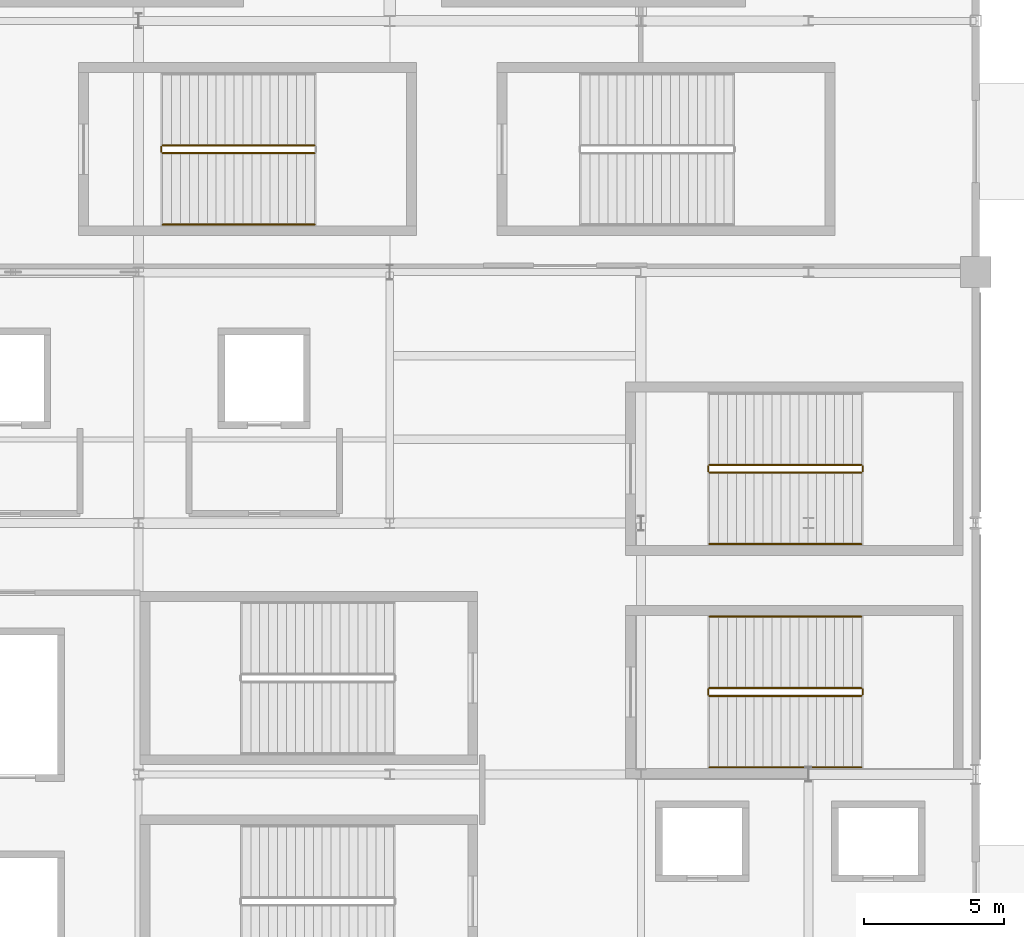
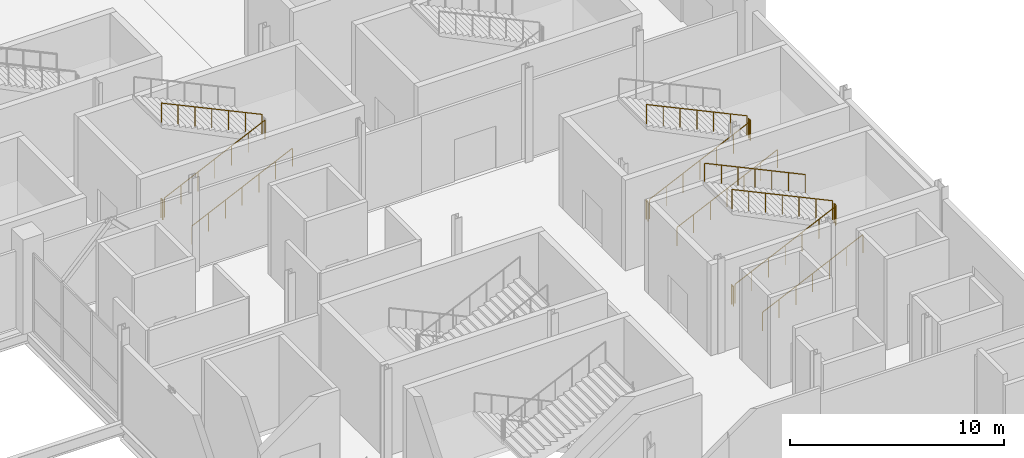
# One storey, part 90 of 94: 15 railings.
"""IFC4 building model written with IfcOpenShell, lengths in metres."""

from ifc_helpers import new_model, si_unit, direction, frame, origin, origin_2d, place, context, subcontext, project, spatial, circle, extrude, material, type_object, element, save


model = new_model("IFC4")

# Units and contexts
model_context = context("Model", 3, precision=1e-05, world=origin(), true_north=direction((0.0, 1.0)))
body_context = subcontext(model_context, "Body", "Model", "MODEL_VIEW")
ifc_project = project(units=[si_unit("LENGTHUNIT", "METRE"), si_unit("AREAUNIT", "SQUARE_METRE"), si_unit("VOLUMEUNIT", "CUBIC_METRE"), si_unit("PLANEANGLEUNIT", "RADIAN"), si_unit("MASSUNIT", "GRAM", prefix="KILO")], contexts=[model_context])

# Site, building, storey
site_placement = place(None, origin())
site = spatial("IfcSite", under=ifc_project, at=site_placement, CompositionType="ELEMENT")
building_placement = place(site_placement, origin())
building = spatial("IfcBuilding", under=site, at=building_placement, Name="Qamarlyn Nura Convention Centre", CompositionType="ELEMENT")
storey_placement = place(building_placement, origin())
storey = spatial("IfcBuildingStorey", under=building, at=storey_placement, Name="L00", CompositionType="ELEMENT", Elevation=0.0)

# Railings
ifc_material = material(Name="Marine Grade 316 stainless steel", Category="steel")
railing_type_1 = type_object("IfcRailingType", Name="GRD-STAIR-112", PredefinedType="BALUSTRADE", material=ifc_material)
railing_1_placement = place(storey_placement, frame((182.4599609375, 65.81005859375, 0.14990234375)))
element("IfcRailing", 1, at=railing_1_placement, inside=storey, type_object=railing_type_1, Name="L00 ST-13 stair guard 1", PredefinedType="BALUSTRADE", context=body_context, shape_type="SweptSolid", body=[
    extrude(circle(Radius=0.02392578125, at=origin_2d()), frame((0.0, 0.0, 1.09619140625), z_axis=(0.90545405566, 0.0, 0.424444287379), x_axis=(0.0, 1.0, 0.0)), (0.0, 0.0, 1.0), 6.008056640625),
    extrude(circle(Radius=0.02099609375, at=origin_2d()), origin(), (0.0, 0.0, 1.0), 1.070068359375),
    extrude(circle(Radius=0.02099609375, at=origin_2d()), frame((0.90673828125, 0.0, 0.425048828125)), (0.0, 0.0, 1.0), 1.070068359375),
    extrude(circle(Radius=0.02099609375, at=origin_2d()), frame((1.813232421875, 0.0, 0.85009765625)), (0.0, 0.0, 1.0), 1.070068359375),
    extrude(circle(Radius=0.02099609375, at=origin_2d()), frame((2.719970703125, 0.0, 1.27490234375)), (0.0, 0.0, 1.0), 1.070068359375),
    extrude(circle(Radius=0.02099609375, at=origin_2d()), frame((3.626708984375, 0.0, 1.699951171875)), (0.0, 0.0, 1.0), 1.070068359375),
    extrude(circle(Radius=0.02099609375, at=origin_2d()), frame((4.533203125, 0.0, 2.125)), (0.0, 0.0, 1.0), 1.070068359375),
    extrude(circle(Radius=0.02099609375, at=origin_2d()), frame((5.43994140625, 0.0, 2.550048828125)), (0.0, 0.0, 1.0), 1.070068359375),
])
railing_2_placement = place(storey_placement, frame((187.949951171875, 65.860107421875, 2.699951171875)))
element("IfcRailing", 2, at=railing_2_placement, inside=storey, type_object=railing_type_1, Name="L00 ST-13 stair guard 2", PredefinedType="BALUSTRADE", context=body_context, shape_type="SweptSolid", body=[
    extrude(circle(Radius=0.02392578125, at=origin_2d()), frame((0.0, 0.0, 1.09619140625), z_axis=(0.0, 1.0, 0.0), x_axis=(-1.0, 0.0, 0.0)), (0.0, 0.0, 1.0), 0.179931640625),
    extrude(circle(Radius=0.02099609375, at=origin_2d()), origin(), (0.0, 0.0, 1.0), 1.070068359375),
    extrude(circle(Radius=0.02099609375, at=origin_2d()), frame((0.0, 0.179931640625, 0.0)), (0.0, 0.0, 1.0), 1.070068359375),
])
railing_3_placement = place(storey_placement, frame((187.89990234375, 66.090087890625, 2.85009765625)))
element("IfcRailing", 3, at=railing_3_placement, inside=storey, type_object=railing_type_1, Name="L00 ST-13 stair guard 3", PredefinedType="BALUSTRADE", context=body_context, shape_type="SweptSolid", body=[
    extrude(circle(Radius=0.02392578125, at=origin_2d()), frame((0.0, 0.0, 1.09619140625), z_axis=(-0.90546967238, 0.0, 0.424410971113), x_axis=(0.0, -1.0, 0.0)), (0.0, 0.0, 1.0), 6.0078125),
    extrude(circle(Radius=0.02099609375, at=origin_2d()), origin(), (0.0, 0.0, 1.0), 1.070068359375),
    extrude(circle(Radius=0.02099609375, at=origin_2d()), frame((-0.90673828125, 0.0, 0.425048828125)), (0.0, 0.0, 1.0), 1.070068359375),
    extrude(circle(Radius=0.02099609375, at=origin_2d()), frame((-1.813232421875, 0.0, 0.849853515625)), (0.0, 0.0, 1.0), 1.070068359375),
    extrude(circle(Radius=0.02099609375, at=origin_2d()), frame((-2.719970703125, 0.0, 1.27490234375)), (0.0, 0.0, 1.0), 1.070068359375),
    extrude(circle(Radius=0.02099609375, at=origin_2d()), frame((-3.626708984375, 0.0, 1.699951171875)), (0.0, 0.0, 1.0), 1.070068359375),
    extrude(circle(Radius=0.02099609375, at=origin_2d()), frame((-4.533203125, 0.0, 2.124755859375)), (0.0, 0.0, 1.0), 1.070068359375),
    extrude(circle(Radius=0.02099609375, at=origin_2d()), frame((-5.43994140625, 0.0, 2.5498046875)), (0.0, 0.0, 1.0), 1.070068359375),
])
railing_4_placement = place(storey_placement, frame((182.409912109375, 65.860107421875, 0.0)))
element("IfcRailing", 4, at=railing_4_placement, inside=storey, type_object=railing_type_1, Name="L00 ST-13 stair guard 4", PredefinedType="BALUSTRADE", context=body_context, shape_type="SweptSolid", body=[
    extrude(circle(Radius=0.02392578125, at=origin_2d()), frame((0.0, 0.0, 1.09619140625), z_axis=(0.0, 1.0, 0.0), x_axis=(-1.0, 0.0, 0.0)), (0.0, 0.0, 1.0), 0.179931640625),
    extrude(circle(Radius=0.02099609375, at=origin_2d()), origin(), (0.0, 0.0, 1.0), 1.070068359375),
    extrude(circle(Radius=0.02099609375, at=origin_2d()), frame((0.0, 0.179931640625, 0.0)), (0.0, 0.0, 1.0), 1.070068359375),
])
railing_5_placement = place(storey_placement, frame((182.4599609375, 73.81005859375, 0.14990234375)))
element("IfcRailing", 5, at=railing_5_placement, inside=storey, type_object=railing_type_1, Name="L00 ST-14 stair guard 1", PredefinedType="BALUSTRADE", context=body_context, shape_type="SweptSolid", body=[
    extrude(circle(Radius=0.02392578125, at=origin_2d()), frame((0.0, 0.0, 1.09619140625), z_axis=(0.90545405566, 0.0, 0.424444287379), x_axis=(0.0, 1.0, 0.0)), (0.0, 0.0, 1.0), 6.008056640625),
    extrude(circle(Radius=0.02099609375, at=origin_2d()), origin(), (0.0, 0.0, 1.0), 1.070068359375),
    extrude(circle(Radius=0.02099609375, at=origin_2d()), frame((0.90673828125, 0.0, 0.425048828125)), (0.0, 0.0, 1.0), 1.070068359375),
    extrude(circle(Radius=0.02099609375, at=origin_2d()), frame((1.813232421875, 0.0, 0.85009765625)), (0.0, 0.0, 1.0), 1.070068359375),
    extrude(circle(Radius=0.02099609375, at=origin_2d()), frame((2.719970703125, 0.0, 1.27490234375)), (0.0, 0.0, 1.0), 1.070068359375),
    extrude(circle(Radius=0.02099609375, at=origin_2d()), frame((3.626708984375, 0.0, 1.699951171875)), (0.0, 0.0, 1.0), 1.070068359375),
    extrude(circle(Radius=0.02099609375, at=origin_2d()), frame((4.533203125, 0.0, 2.125)), (0.0, 0.0, 1.0), 1.070068359375),
    extrude(circle(Radius=0.02099609375, at=origin_2d()), frame((5.43994140625, 0.0, 2.550048828125)), (0.0, 0.0, 1.0), 1.070068359375),
])
railing_6_placement = place(storey_placement, frame((187.949951171875, 73.860107421875, 2.699951171875)))
element("IfcRailing", 6, at=railing_6_placement, inside=storey, type_object=railing_type_1, Name="L00 ST-14 stair guard 2", PredefinedType="BALUSTRADE", context=body_context, shape_type="SweptSolid", body=[
    extrude(circle(Radius=0.02392578125, at=origin_2d()), frame((0.0, 0.0, 1.09619140625), z_axis=(0.0, 1.0, 0.0), x_axis=(-1.0, 0.0, 0.0)), (0.0, 0.0, 1.0), 0.179931640625),
    extrude(circle(Radius=0.02099609375, at=origin_2d()), origin(), (0.0, 0.0, 1.0), 1.070068359375),
    extrude(circle(Radius=0.02099609375, at=origin_2d()), frame((0.0, 0.179931640625, 0.0)), (0.0, 0.0, 1.0), 1.070068359375),
])
railing_7_placement = place(storey_placement, frame((187.89990234375, 74.090087890625, 2.85009765625)))
element("IfcRailing", 7, at=railing_7_placement, inside=storey, type_object=railing_type_1, Name="L00 ST-14 stair guard 3", PredefinedType="BALUSTRADE", context=body_context, shape_type="SweptSolid", body=[
    extrude(circle(Radius=0.02392578125, at=origin_2d()), frame((0.0, 0.0, 1.09619140625), z_axis=(-0.90546967238, 0.0, 0.424410971113), x_axis=(0.0, -1.0, 0.0)), (0.0, 0.0, 1.0), 6.0078125),
    extrude(circle(Radius=0.02099609375, at=origin_2d()), origin(), (0.0, 0.0, 1.0), 1.070068359375),
    extrude(circle(Radius=0.02099609375, at=origin_2d()), frame((-0.90673828125, 0.0, 0.425048828125)), (0.0, 0.0, 1.0), 1.070068359375),
    extrude(circle(Radius=0.02099609375, at=origin_2d()), frame((-1.813232421875, 0.0, 0.849853515625)), (0.0, 0.0, 1.0), 1.070068359375),
    extrude(circle(Radius=0.02099609375, at=origin_2d()), frame((-2.719970703125, 0.0, 1.27490234375)), (0.0, 0.0, 1.0), 1.070068359375),
    extrude(circle(Radius=0.02099609375, at=origin_2d()), frame((-3.626708984375, 0.0, 1.699951171875)), (0.0, 0.0, 1.0), 1.070068359375),
    extrude(circle(Radius=0.02099609375, at=origin_2d()), frame((-4.533203125, 0.0, 2.124755859375)), (0.0, 0.0, 1.0), 1.070068359375),
    extrude(circle(Radius=0.02099609375, at=origin_2d()), frame((-5.43994140625, 0.0, 2.5498046875)), (0.0, 0.0, 1.0), 1.070068359375),
])
railing_8_placement = place(storey_placement, frame((182.409912109375, 73.860107421875, 0.0)))
element("IfcRailing", 8, at=railing_8_placement, inside=storey, type_object=railing_type_1, Name="L00 ST-14 stair guard 4", PredefinedType="BALUSTRADE", context=body_context, shape_type="SweptSolid", body=[
    extrude(circle(Radius=0.02392578125, at=origin_2d()), frame((0.0, 0.0, 1.09619140625), z_axis=(0.0, 1.0, 0.0), x_axis=(-1.0, 0.0, 0.0)), (0.0, 0.0, 1.0), 0.179931640625),
    extrude(circle(Radius=0.02099609375, at=origin_2d()), origin(), (0.0, 0.0, 1.0), 1.070068359375),
    extrude(circle(Radius=0.02099609375, at=origin_2d()), frame((0.0, 0.179931640625, 0.0)), (0.0, 0.0, 1.0), 1.070068359375),
])
railing_9_placement = place(storey_placement, frame((162.860107421875, 85.260009765625, 0.14990234375)))
element("IfcRailing", 9, at=railing_9_placement, inside=storey, type_object=railing_type_1, Name="L00 ST-16 stair guard 1", PredefinedType="BALUSTRADE", context=body_context, shape_type="SweptSolid", body=[
    extrude(circle(Radius=0.02392578125, at=origin_2d()), frame((0.0, 0.0, 1.09619140625), z_axis=(0.90545405566, 0.0, 0.424444287379), x_axis=(0.0, 1.0, 0.0)), (0.0, 0.0, 1.0), 6.008056640625),
    extrude(circle(Radius=0.02099609375, at=origin_2d()), origin(), (0.0, 0.0, 1.0), 1.070068359375),
    extrude(circle(Radius=0.02099609375, at=origin_2d()), frame((0.90673828125, 0.0, 0.425048828125)), (0.0, 0.0, 1.0), 1.070068359375),
    extrude(circle(Radius=0.02099609375, at=origin_2d()), frame((1.813232421875, 0.0, 0.85009765625)), (0.0, 0.0, 1.0), 1.070068359375),
    extrude(circle(Radius=0.02099609375, at=origin_2d()), frame((2.719970703125, 0.0, 1.27490234375)), (0.0, 0.0, 1.0), 1.070068359375),
    extrude(circle(Radius=0.02099609375, at=origin_2d()), frame((3.626708984375, 0.0, 1.699951171875)), (0.0, 0.0, 1.0), 1.070068359375),
    extrude(circle(Radius=0.02099609375, at=origin_2d()), frame((4.533203125, 0.0, 2.125)), (0.0, 0.0, 1.0), 1.070068359375),
    extrude(circle(Radius=0.02099609375, at=origin_2d()), frame((5.43994140625, 0.0, 2.550048828125)), (0.0, 0.0, 1.0), 1.070068359375),
])
railing_10_placement = place(storey_placement, frame((168.300048828125, 85.5400390625, 2.85009765625)))
element("IfcRailing", 10, at=railing_10_placement, inside=storey, type_object=railing_type_1, Name="L00 ST-16 stair guard 3", PredefinedType="BALUSTRADE", context=body_context, shape_type="SweptSolid", body=[
    extrude(circle(Radius=0.02392578125, at=origin_2d()), frame((0.0, 0.0, 1.09619140625), z_axis=(-0.90546967238, 0.0, 0.424410971113), x_axis=(0.0, -1.0, 0.0)), (0.0, 0.0, 1.0), 6.0078125),
    extrude(circle(Radius=0.02099609375, at=origin_2d()), origin(), (0.0, 0.0, 1.0), 1.070068359375),
    extrude(circle(Radius=0.02099609375, at=origin_2d()), frame((-0.90673828125, 0.0, 0.425048828125)), (0.0, 0.0, 1.0), 1.070068359375),
    extrude(circle(Radius=0.02099609375, at=origin_2d()), frame((-1.813232421875, 0.0, 0.849853515625)), (0.0, 0.0, 1.0), 1.070068359375),
    extrude(circle(Radius=0.02099609375, at=origin_2d()), frame((-2.719970703125, 0.0, 1.27490234375)), (0.0, 0.0, 1.0), 1.070068359375),
    extrude(circle(Radius=0.02099609375, at=origin_2d()), frame((-3.626708984375, 0.0, 1.699951171875)), (0.0, 0.0, 1.0), 1.070068359375),
    extrude(circle(Radius=0.02099609375, at=origin_2d()), frame((-4.533203125, 0.0, 2.124755859375)), (0.0, 0.0, 1.0), 1.070068359375),
    extrude(circle(Radius=0.02099609375, at=origin_2d()), frame((-5.43994140625, 0.0, 2.5498046875)), (0.0, 0.0, 1.0), 1.070068359375),
])
railing_11_placement = place(storey_placement, frame((162.81005859375, 85.31005859375, 0.0)))
element("IfcRailing", 11, at=railing_11_placement, inside=storey, type_object=railing_type_1, Name="L00 ST-16 stair guard 4", PredefinedType="BALUSTRADE", context=body_context, shape_type="SweptSolid", body=[
    extrude(circle(Radius=0.02392578125, at=origin_2d()), frame((0.0, 0.0, 1.09619140625), z_axis=(0.0, 1.0, 0.0), x_axis=(-1.0, 0.0, 0.0)), (0.0, 0.0, 1.0), 0.179931640625),
    extrude(circle(Radius=0.02099609375, at=origin_2d()), origin(), (0.0, 0.0, 1.0), 1.070068359375),
    extrude(circle(Radius=0.02099609375, at=origin_2d()), frame((0.0, 0.179931640625, 0.0)), (0.0, 0.0, 1.0), 1.070068359375),
])
railing_type_2 = type_object("IfcRailingType", Name="HRL-STAIR-090", PredefinedType="HANDRAIL", material=ifc_material)
railing_12_placement = place(storey_placement, frame((182.4599609375, 63.25, 0.30224609375)))
element("IfcRailing", 12, at=railing_12_placement, inside=storey, type_object=railing_type_2, Name="L00 ST-13 stair handrail 1", PredefinedType="HANDRAIL", context=body_context, shape_type="SweptSolid", body=[
    extrude(circle(Radius=0.02392578125, at=origin_2d()), frame((0.0, 0.0, 0.88818359375), z_axis=(0.90545405566, 0.0, 0.424444287379), x_axis=(0.0, 1.0, 0.0)), (0.0, 0.0, 1.0), 6.008056640625),
    extrude(circle(Radius=0.02099609375, at=origin_2d()), frame((0.0, 0.0, -0.155029296875)), (0.0, 0.0, 1.0), 1.01708984375),
    extrude(circle(Radius=0.02099609375, at=origin_2d()), frame((0.90673828125, 0.0, 0.27001953125)), (0.0, 0.0, 1.0), 1.01708984375),
    extrude(circle(Radius=0.02099609375, at=origin_2d()), frame((1.813232421875, 0.0, 0.695068359375)), (0.0, 0.0, 1.0), 1.01708984375),
    extrude(circle(Radius=0.02099609375, at=origin_2d()), frame((2.719970703125, 0.0, 1.1201171875)), (0.0, 0.0, 1.0), 1.01708984375),
    extrude(circle(Radius=0.02099609375, at=origin_2d()), frame((3.626708984375, 0.0, 1.544921875)), (0.0, 0.0, 1.0), 1.01708984375),
    extrude(circle(Radius=0.02099609375, at=origin_2d()), frame((4.533203125, 0.0, 1.969970703125)), (0.0, 0.0, 1.0), 1.01708984375),
    extrude(circle(Radius=0.02099609375, at=origin_2d()), frame((5.43994140625, 0.0, 2.39501953125)), (0.0, 0.0, 1.0), 1.01708984375),
])
railing_13_placement = place(storey_placement, frame((187.89990234375, 68.64990234375, 3.002197265625)))
element("IfcRailing", 13, at=railing_13_placement, inside=storey, type_object=railing_type_2, Name="L00 ST-13 stair handrail 2", PredefinedType="HANDRAIL", context=body_context, shape_type="SweptSolid", body=[
    extrude(circle(Radius=0.02392578125, at=origin_2d()), frame((0.0, 0.0, 0.88818359375), z_axis=(-0.90545405566, 0.0, 0.424444287379), x_axis=(0.0, -1.0, 0.0)), (0.0, 0.0, 1.0), 6.008056640625),
    extrude(circle(Radius=0.02099609375, at=origin_2d()), frame((0.0, 0.0, -0.155029296875)), (0.0, 0.0, 1.0), 1.01708984375),
    extrude(circle(Radius=0.02099609375, at=origin_2d()), frame((-0.90673828125, 0.0, 0.27001953125)), (0.0, 0.0, 1.0), 1.01708984375),
    extrude(circle(Radius=0.02099609375, at=origin_2d()), frame((-1.813232421875, 0.0, 0.695068359375)), (0.0, 0.0, 1.0), 1.01708984375),
    extrude(circle(Radius=0.02099609375, at=origin_2d()), frame((-2.719970703125, 0.0, 1.1201171875)), (0.0, 0.0, 1.0), 1.01708984375),
    extrude(circle(Radius=0.02099609375, at=origin_2d()), frame((-3.626708984375, 0.0, 1.544921875)), (0.0, 0.0, 1.0), 1.01708984375),
    extrude(circle(Radius=0.02099609375, at=origin_2d()), frame((-4.533203125, 0.0, 1.969970703125)), (0.0, 0.0, 1.0), 1.01708984375),
    extrude(circle(Radius=0.02099609375, at=origin_2d()), frame((-5.43994140625, 0.0, 2.39501953125)), (0.0, 0.0, 1.0), 1.01708984375),
])
for number, where, name in (
    (14, (182.4599609375, 71.25, 0.30224609375), "L00 ST-14 stair handrail 1"),
    (15, (162.860107421875, 82.699951171875, 0.30224609375), "L00 ST-16 stair handrail 1"),
):
    element("IfcRailing", number, at=place(storey_placement, frame(where)), inside=storey, type_object=railing_type_2, Name=name, PredefinedType="HANDRAIL", context=body_context, shape_type="SweptSolid", body=[
        extrude(circle(Radius=0.02392578125, at=origin_2d()), frame((0.0, 0.0, 0.88818359375), z_axis=(0.90545405566, 0.0, 0.424444287379), x_axis=(0.0, 1.0, 0.0)), (0.0, 0.0, 1.0), 6.008056640625),
        extrude(circle(Radius=0.02099609375, at=origin_2d()), frame((0.0, 0.0, -0.155029296875)), (0.0, 0.0, 1.0), 1.01708984375),
        extrude(circle(Radius=0.02099609375, at=origin_2d()), frame((0.90673828125, 0.0, 0.27001953125)), (0.0, 0.0, 1.0), 1.01708984375),
        extrude(circle(Radius=0.02099609375, at=origin_2d()), frame((1.813232421875, 0.0, 0.695068359375)), (0.0, 0.0, 1.0), 1.01708984375),
        extrude(circle(Radius=0.02099609375, at=origin_2d()), frame((2.719970703125, 0.0, 1.1201171875)), (0.0, 0.0, 1.0), 1.01708984375),
        extrude(circle(Radius=0.02099609375, at=origin_2d()), frame((3.626708984375, 0.0, 1.544921875)), (0.0, 0.0, 1.0), 1.01708984375),
        extrude(circle(Radius=0.02099609375, at=origin_2d()), frame((4.533203125, 0.0, 1.969970703125)), (0.0, 0.0, 1.0), 1.01708984375),
        extrude(circle(Radius=0.02099609375, at=origin_2d()), frame((5.43994140625, 0.0, 2.39501953125)), (0.0, 0.0, 1.0), 1.01708984375),
    ])

save(model, "model.ifc")
